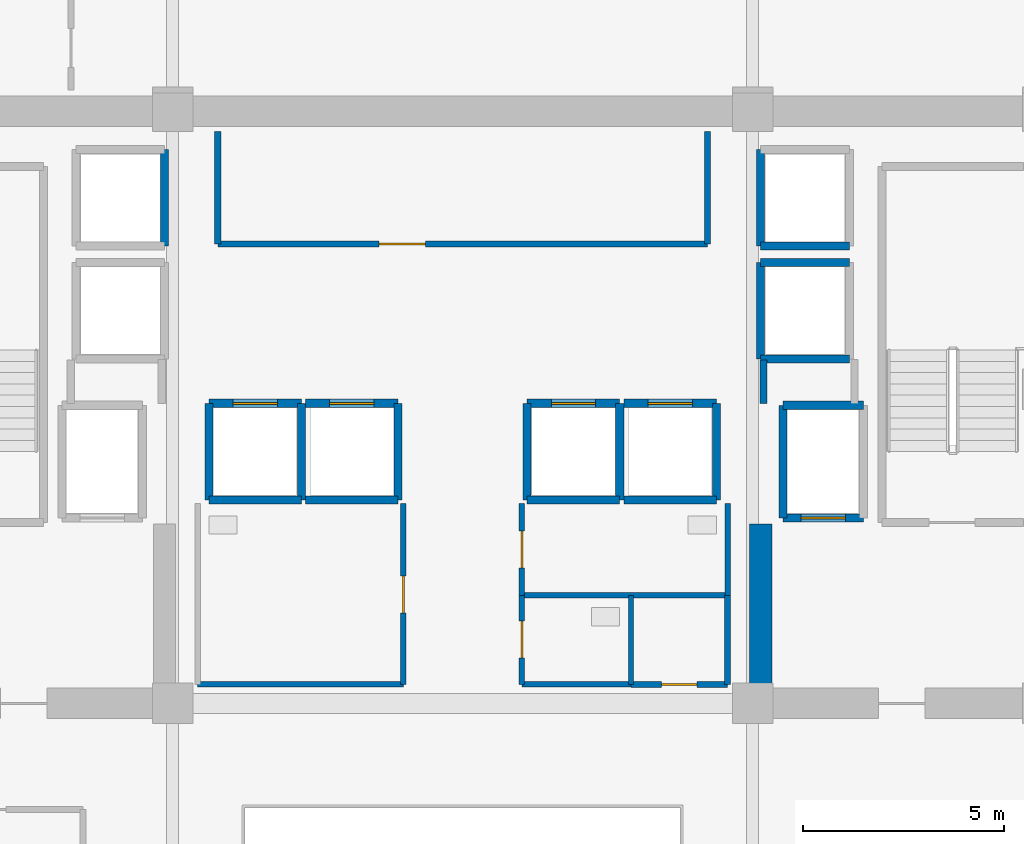
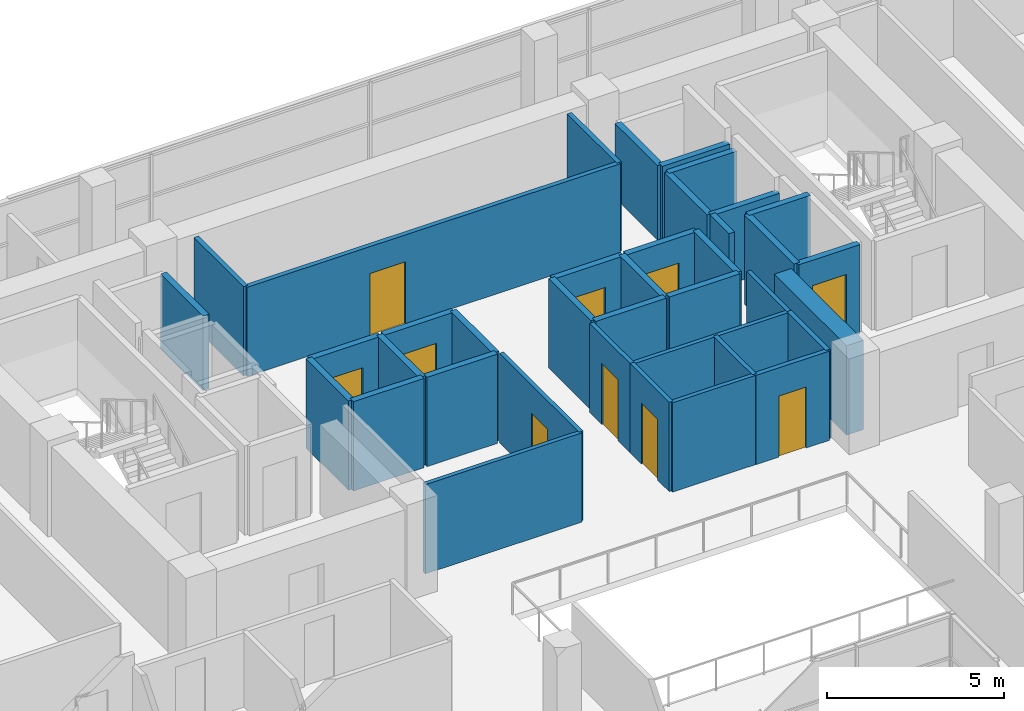
# One storey, part 16 of 21: 38 walls, 10 doors, 10 openings.
"""IFC4 building model written with IfcOpenShell, lengths in metres."""

from ifc_helpers import new_model, si_unit, direction, frame, frame_2d, origin, place, context, subcontext, project, spatial, rectangle, extrude, source, transform, mapped, material, layer, layer_set, type_object, element, fill, save


model = new_model("IFC4")

# Units and contexts
model_context = context("Model", 3, precision=1e-05, world=origin(), true_north=direction((0.0, 1.0)))
body_context = subcontext(model_context, "Body", "Model", "MODEL_VIEW")
ifc_project = project(units=[si_unit("LENGTHUNIT", "METRE"), si_unit("AREAUNIT", "SQUARE_METRE"), si_unit("VOLUMEUNIT", "CUBIC_METRE"), si_unit("PLANEANGLEUNIT", "RADIAN"), si_unit("MASSUNIT", "GRAM", prefix="KILO")], contexts=[model_context])

# Site, building, storey
site_placement = place(None, origin())
site = spatial("IfcSite", under=ifc_project, at=site_placement, CompositionType="ELEMENT")
building_placement = place(site_placement, origin())
building = spatial("IfcBuilding", under=site, at=building_placement, Name="Zarnakvel Exchange Tower", CompositionType="ELEMENT")
storey_placement = place(building_placement, frame((0.0, 0.0, 182.5)))
storey = spatial("IfcBuildingStorey", under=building, at=storey_placement, Name="L51", CompositionType="ELEMENT", Elevation=182.5)

# Wall
ifc_material_1 = material(Name="Concrete C60/75", Category="concrete")
ifc_layer_1 = layer(ifc_material_1, 0.550048828125)
ifc_layer_set_1 = layer_set([ifc_layer_1], Name="Concrete C60/75")
wall_type_1 = type_object("IfcWallType", Name="CW-C4", PredefinedType="SHEAR", material=ifc_layer_set_1)
wall_1_placement = place(storey_placement, frame((7.39990234375, -0.824951171875, 0.0), z_axis=(0.0, 0.0, 1.0), x_axis=(0.0, 1.0, 0.0)))
element("IfcWall", 1, at=wall_1_placement, inside=storey, type_object=wall_type_1, Name="L51 Rear Core Shear Wall IE (CW-C4)", PredefinedType="SHEAR", context=body_context, shape_type="SweptSolid", body=[
    extrude(rectangle(XDim=4.074951171875, YDim=0.550048828125, at=frame_2d((2.03759765625, 0.0))), origin(), (0.0, 0.0, 1.0), 3.074951171875),
])

# Wall, opening, door
ifc_material_2 = material(Name="Fire-Rated Gypsum Stud Partition", Category="gypsum")
ifc_layer_2 = layer(ifc_material_2, 0.14990234375)
ifc_layer_set_2 = layer_set([ifc_layer_2], Name="Fire-Rated Gypsum Stud Partition")
wall_type_2 = type_object("IfcWallType", Name="PT-01", PredefinedType="PARTITIONING", material=ifc_layer_set_2)
wall_2_placement = place(storey_placement, frame((6.080078125, 10.199951171875, 0.0), z_axis=(0.0, 0.0, 1.0), x_axis=(-1.0, 0.0, 0.0)))
wall_2 = element("IfcWall", 2, at=wall_2_placement, inside=storey, type_object=wall_type_2, Name="L51 Partition Wall PWALL-L51-011 (PT-01)", PredefinedType="PARTITIONING", context=body_context, shape_type="SweptSolid", body=[
    extrude(rectangle(XDim=12.16015625, YDim=0.14990234375, at=frame_2d((6.080078125, 0.0))), origin(), (0.0, 0.0, 1.0), 3.074951171875),
])
opening_1_placement = place(wall_2_placement, frame((7.0048828125, 0.0, 0.0)))
opening_1 = element("IfcOpeningElement", 3, at=opening_1_placement, cuts=wall_2, Name="Opening D-L51-05", PredefinedType="OPENING", context=body_context, shape_type="SweptSolid", body=[
    extrude(rectangle(XDim=1.14990234375, YDim=2.14990234375, at=frame_2d((0.574951171875, 1.074951171875))), frame((0.0, 0.0849609375, 0.0), z_axis=(0.0, -1.0, 0.0), x_axis=(1.0, 0.0, 0.0)), (0.0, 0.0, 1.0), 0.169921875),
])
ifc_material_3 = material(Name="Painted Galvanised Steel S355", Category="steel")
door_type_1 = type_object("IfcDoorType", Name="DT-04", OperationType="NOTDEFINED", PredefinedType="DOOR", material=ifc_material_3)
shared_shape_1 = source(origin(), body_context, "Body", "SweptSolid", [
    extrude(rectangle(XDim=1.14990234375, YDim=2.14990234375, at=frame_2d((0.574951171875, 1.074951171875))), frame((0.0, 0.02490234375, 0.0), z_axis=(0.0, -1.0, 0.0), x_axis=(1.0, 0.0, 0.0)), (0.0, 0.0, 1.0), 0.050048828125),
])
door_1_placement = place(opening_1_placement, origin())
door_1 = element("IfcDoor", 4, at=door_1_placement, inside=storey, type_object=door_type_1, Name="L51 Market Data Archive Suite Door D-L51-05", OperationType="SINGLE_SWING_LEFT", OverallHeight=2.14990234375, OverallWidth=1.14990234375, PredefinedType="DOOR", context=body_context, shape_type="MappedRepresentation", body=[
    mapped(shared_shape_1, transform((0.0, 0.0, 0.0), x_axis=(1.0, 0.0, 0.0), y_axis=(0.0, 1.0, 0.0), z_axis=(0.0, 0.0, 1.0), scale=1.0)),
])
fill(opening_1, door_1)

# Walls
for number, where, z_axis, x_axis, name in (
    (5, (-6.080078125, 10.199951171875, 0.0), (0.0, 0.0, 1.0), (0.0, 1.0, 0.0), "L51 Partition Wall PWALL-L51-012 (PT-01)"),
    (6, (6.080078125, 13.0, 0.0), (0.0, 0.0, 1.0), (0.0, -1.0, 0.0), "L51 Partition Wall PWALL-L51-013 (PT-01)"),
):
    element("IfcWall", number, at=place(storey_placement, frame(where, z_axis=z_axis, x_axis=x_axis)), inside=storey, type_object=wall_type_2, Name=name, PredefinedType="PARTITIONING", context=body_context, shape_type="SweptSolid", body=[
        extrude(rectangle(XDim=2.800048828125, YDim=0.14990234375, at=frame_2d((1.39990234375, 0.0))), origin(), (0.0, 0.0, 1.0), 3.074951171875),
    ])

# Wall, opening, door
wall_3_placement = place(storey_placement, frame((6.580078125, -0.72998046875, 0.0), z_axis=(0.0, 0.0, 1.0), x_axis=(-1.0, 0.0, 0.0)))
wall_3 = element("IfcWall", 7, at=wall_3_placement, inside=storey, type_object=wall_type_2, Name="L51 Partition Wall PWALL-L51-023 (PT-01)", PredefinedType="PARTITIONING", context=body_context, shape_type="SweptSolid", body=[
    extrude(rectangle(XDim=2.400146484375, YDim=0.14990234375, at=frame_2d((1.2001953125, 0.0))), origin(), (0.0, 0.0, 1.0), 3.074951171875),
])
opening_2_placement = place(wall_3_placement, frame((0.760009765625, 0.0, 0.0)))
opening_2 = element("IfcOpeningElement", 8, at=opening_2_placement, cuts=wall_3, Name="Opening D-L51-09", PredefinedType="OPENING", context=body_context, shape_type="SweptSolid", body=[
    extrude(rectangle(XDim=0.8798828125, YDim=2.10009765625, at=frame_2d((0.43994140625, 1.050048828125))), frame((0.0, 0.0849609375, 0.0), z_axis=(0.0, -1.0, 0.0), x_axis=(1.0, 0.0, 0.0)), (0.0, 0.0, 1.0), 0.169921875),
])
door_type_2 = type_object("IfcDoorType", Name="DT-08", OperationType="NOTDEFINED", PredefinedType="DOOR", material=ifc_material_3)
shared_shape_2 = source(origin(), body_context, "Body", "SweptSolid", [
    extrude(rectangle(XDim=0.8798828125, YDim=2.10009765625, at=frame_2d((0.43994140625, 1.050048828125))), frame((0.0, 0.02490234375, 0.0), z_axis=(0.0, -1.0, 0.0), x_axis=(1.0, 0.0, 0.0)), (0.0, 0.0, 1.0), 0.050048828125),
])
door_2_placement = place(opening_2_placement, origin())
door_2 = element("IfcDoor", 9, at=door_2_placement, inside=storey, type_object=door_type_2, Name="L51 Cleaners Store Door D-L51-09", OperationType="SINGLE_SWING_LEFT", OverallHeight=2.10009765625, OverallWidth=0.8798828125, PredefinedType="DOOR", context=body_context, shape_type="MappedRepresentation", body=[
    mapped(shared_shape_2, transform((0.0, 0.0, 0.0), x_axis=(1.0, 0.0, 0.0), y_axis=(0.0, 1.0, 0.0), z_axis=(0.0, 0.0, 1.0), scale=1.0)),
])
fill(opening_2, door_2)

# Walls
wall_4_placement = place(storey_placement, frame((6.580078125, 1.47998046875, 0.0), z_axis=(0.0, 0.0, 1.0), x_axis=(0.0, -1.0, 0.0)))
element("IfcWall", 10, at=wall_4_placement, inside=storey, type_object=wall_type_2, Name="L51 Partition Wall PWALL-L51-024 (PT-01)", PredefinedType="PARTITIONING", context=body_context, shape_type="SweptSolid", body=[
    extrude(rectangle(XDim=2.2099609375, YDim=0.14990234375, at=frame_2d((1.10498046875, 0.0))), origin(), (0.0, 0.0, 1.0), 3.074951171875),
])
ifc_layer_3 = layer(ifc_material_2, 0.179931640625)
ifc_layer_set_3 = layer_set([ifc_layer_3], Name="Fire-Rated Gypsum Stud Partition")
wall_type_3 = type_object("IfcWallType", Name="PT-02", PredefinedType="PARTITIONING", material=ifc_layer_set_3)
wall_5_placement = place(storey_placement, frame((7.469970703125, 6.239990234375, 0.0), z_axis=(0.0, 0.0, 1.0), x_axis=(0.0, 1.0, 0.0)))
element("IfcWall", 11, at=wall_5_placement, inside=storey, type_object=wall_type_3, Name="L51 Partition Wall PWALL-L51-009 (PT-02)", PredefinedType="PARTITIONING", context=body_context, shape_type="SweptSolid", body=[
    extrude(rectangle(XDim=1.090087890625, YDim=0.179931640625, at=frame_2d((0.544921875, 0.0))), origin(), (0.0, 0.0, 1.0), 2.56494140625),
])
ifc_material_4 = material(Name="Moisture-Resistant Tile-Faced Partition", Category="gypsum")
ifc_layer_4 = layer(ifc_material_4, 0.135009765625)
ifc_layer_set_4 = layer_set([ifc_layer_4], Name="Moisture-Resistant Tile-Faced Partition")
wall_type_4 = type_object("IfcWallType", Name="PT-03", PredefinedType="PARTITIONING", material=ifc_layer_set_4)
wall_6_placement = place(storey_placement, frame((-1.469970703125, -0.72998046875, 0.0), z_axis=(0.0, 0.0, 1.0), x_axis=(-1.0, 0.0, 0.0)))
element("IfcWall", 12, at=wall_6_placement, inside=storey, type_object=wall_type_4, Name="L51 Partition Wall PWALL-L51-014 (PT-03)", PredefinedType="PARTITIONING", context=body_context, shape_type="SweptSolid", body=[
    extrude(rectangle(XDim=5.110107421875, YDim=0.135009765625, at=frame_2d((2.55517578125, 0.0))), origin(), (0.0, 0.0, 1.0), 3.074951171875),
])

# Wall, opening, door
wall_7_placement = place(storey_placement, frame((-1.469970703125, 3.760009765625, 0.0), z_axis=(0.0, 0.0, 1.0), x_axis=(0.0, -1.0, 0.0)))
wall_7 = element("IfcWall", 13, at=wall_7_placement, inside=storey, type_object=wall_type_4, Name="L51 Partition Wall PWALL-L51-016 (PT-03)", PredefinedType="PARTITIONING", context=body_context, shape_type="SweptSolid", body=[
    extrude(rectangle(XDim=4.489990234375, YDim=0.135009765625, at=frame_2d((2.2451171875, 0.0))), origin(), (0.0, 0.0, 1.0), 3.074951171875),
])
opening_3_placement = place(wall_7_placement, frame((1.800048828125, 0.0, 0.0)))
opening_3 = element("IfcOpeningElement", 14, at=opening_3_placement, cuts=wall_7, Name="Opening D-L51-06", PredefinedType="OPENING", context=body_context, shape_type="SweptSolid", body=[
    extrude(rectangle(XDim=0.919921875, YDim=2.10009765625, at=frame_2d((0.4599609375, 1.050048828125))), frame((0.0, 0.077392578125, 0.0), z_axis=(0.0, -1.0, 0.0), x_axis=(1.0, 0.0, 0.0)), (0.0, 0.0, 1.0), 0.155029296875),
])
ifc_material_5 = material(Name="Moisture-Resistant Laminate Timber", Category="wood")
door_type_3 = type_object("IfcDoorType", Name="DT-07", OperationType="NOTDEFINED", PredefinedType="DOOR", material=ifc_material_5)
shared_shape_3 = source(origin(), body_context, "Body", "SweptSolid", [
    extrude(rectangle(XDim=0.919921875, YDim=2.10009765625, at=frame_2d((0.4599609375, 1.050048828125))), frame((0.0, 0.02490234375, 0.0), z_axis=(0.0, -1.0, 0.0), x_axis=(1.0, 0.0, 0.0)), (0.0, 0.0, 1.0), 0.050048828125),
])
door_3_placement = place(opening_3_placement, origin())
door_3 = element("IfcDoor", 15, at=door_3_placement, inside=storey, type_object=door_type_3, Name="L51 Male Toilet Door D-L51-06", OperationType="SINGLE_SWING_RIGHT", OverallHeight=2.10009765625, OverallWidth=0.919921875, PredefinedType="DOOR", context=body_context, shape_type="MappedRepresentation", body=[
    mapped(shared_shape_3, transform((0.0, 0.0, 0.0), x_axis=(1.0, 0.0, 0.0), y_axis=(0.0, 1.0, 0.0), z_axis=(0.0, 0.0, 1.0), scale=1.0)),
])
fill(opening_3, door_3)

# Wall
wall_8_placement = place(storey_placement, frame((6.580078125, 1.47998046875, 0.0), z_axis=(0.0, 0.0, 1.0), x_axis=(-1.0, 0.0, 0.0)))
element("IfcWall", 16, at=wall_8_placement, inside=storey, type_object=wall_type_4, Name="L51 Partition Wall PWALL-L51-017 (PT-03)", PredefinedType="PARTITIONING", context=body_context, shape_type="SweptSolid", body=[
    extrude(rectangle(XDim=5.110107421875, YDim=0.135009765625, at=frame_2d((2.55517578125, 0.0))), origin(), (0.0, 0.0, 1.0), 3.074951171875),
])

# Wall, opening, door
wall_9_placement = place(storey_placement, frame((1.469970703125, 1.47998046875, 0.0), z_axis=(0.0, 0.0, 1.0), x_axis=(0.0, 1.0, 0.0)))
wall_9 = element("IfcWall", 17, at=wall_9_placement, inside=storey, type_object=wall_type_4, Name="L51 Partition Wall PWALL-L51-018 (PT-03)", PredefinedType="PARTITIONING", context=body_context, shape_type="SweptSolid", body=[
    extrude(rectangle(XDim=2.280029296875, YDim=0.135009765625, at=frame_2d((1.14013671875, 0.0))), origin(), (0.0, 0.0, 1.0), 3.074951171875),
])
opening_4_placement = place(wall_9_placement, frame((0.679931640625, 0.0, 0.0)))
opening_4 = element("IfcOpeningElement", 18, at=opening_4_placement, cuts=wall_9, Name="Opening D-L51-07", PredefinedType="OPENING", context=body_context, shape_type="SweptSolid", body=[
    extrude(rectangle(XDim=0.919921875, YDim=2.10009765625, at=frame_2d((0.4599609375, 1.050048828125))), frame((0.0, 0.077392578125, 0.0), z_axis=(0.0, -1.0, 0.0), x_axis=(1.0, 0.0, 0.0)), (0.0, 0.0, 1.0), 0.155029296875),
])
door_4_placement = place(opening_4_placement, origin())
door_4 = element("IfcDoor", 19, at=door_4_placement, inside=storey, type_object=door_type_3, Name="L51 Female Toilet Door D-L51-07", OperationType="SINGLE_SWING_LEFT", OverallHeight=2.10009765625, OverallWidth=0.919921875, PredefinedType="DOOR", context=body_context, shape_type="MappedRepresentation", body=[
    mapped(shared_shape_3, transform((0.0, 0.0, 0.0), x_axis=(1.0, 0.0, 0.0), y_axis=(0.0, 1.0, 0.0), z_axis=(0.0, 0.0, 1.0), scale=1.0)),
])
fill(opening_4, door_4)

# Walls
wall_10_placement = place(storey_placement, frame((6.580078125, 3.760009765625, 0.0), z_axis=(0.0, 0.0, 1.0), x_axis=(0.0, -1.0, 0.0)))
element("IfcWall", 20, at=wall_10_placement, inside=storey, type_object=wall_type_4, Name="L51 Partition Wall PWALL-L51-019 (PT-03)", PredefinedType="PARTITIONING", context=body_context, shape_type="SweptSolid", body=[
    extrude(rectangle(XDim=2.280029296875, YDim=0.135009765625, at=frame_2d((1.14013671875, 0.0))), origin(), (0.0, 0.0, 1.0), 3.074951171875),
])
wall_11_placement = place(storey_placement, frame((4.179931640625, -0.72998046875, 0.0), z_axis=(0.0, 0.0, 1.0), x_axis=(-1.0, 0.0, 0.0)))
element("IfcWall", 21, at=wall_11_placement, inside=storey, type_object=wall_type_4, Name="L51 Partition Wall PWALL-L51-020 (PT-03)", PredefinedType="PARTITIONING", context=body_context, shape_type="SweptSolid", body=[
    extrude(rectangle(XDim=2.7099609375, YDim=0.135009765625, at=frame_2d((1.35498046875, 0.0))), origin(), (0.0, 0.0, 1.0), 3.074951171875),
])

# Wall, opening, door
wall_12_placement = place(storey_placement, frame((1.469970703125, -0.72998046875, 0.0), z_axis=(0.0, 0.0, 1.0), x_axis=(0.0, 1.0, 0.0)))
wall_12 = element("IfcWall", 22, at=wall_12_placement, inside=storey, type_object=wall_type_4, Name="L51 Partition Wall PWALL-L51-021 (PT-03)", PredefinedType="PARTITIONING", context=body_context, shape_type="SweptSolid", body=[
    extrude(rectangle(XDim=2.2099609375, YDim=0.135009765625, at=frame_2d((1.10498046875, 0.0))), origin(), (0.0, 0.0, 1.0), 3.074951171875),
])
opening_5_placement = place(wall_12_placement, frame((0.64990234375, 0.0, 0.0)))
opening_5 = element("IfcOpeningElement", 23, at=opening_5_placement, cuts=wall_12, Name="Opening D-L51-08", PredefinedType="OPENING", context=body_context, shape_type="SweptSolid", body=[
    extrude(rectangle(XDim=0.919921875, YDim=2.10009765625, at=frame_2d((0.4599609375, 1.050048828125))), frame((0.0, 0.077392578125, 0.0), z_axis=(0.0, -1.0, 0.0), x_axis=(1.0, 0.0, 0.0)), (0.0, 0.0, 1.0), 0.155029296875),
])
door_5_placement = place(opening_5_placement, origin())
door_5 = element("IfcDoor", 24, at=door_5_placement, inside=storey, type_object=door_type_3, Name="L51 Accessible Toilet Door D-L51-08", OperationType="SINGLE_SWING_RIGHT", OverallHeight=2.10009765625, OverallWidth=0.919921875, PredefinedType="DOOR", context=body_context, shape_type="MappedRepresentation", body=[
    mapped(shared_shape_3, transform((0.0, 0.0, 0.0), x_axis=(1.0, 0.0, 0.0), y_axis=(0.0, 1.0, 0.0), z_axis=(0.0, 0.0, 1.0), scale=1.0)),
])
fill(opening_5, door_5)

# Wall
wall_13_placement = place(storey_placement, frame((4.179931640625, 1.47998046875, 0.0), z_axis=(0.0, 0.0, 1.0), x_axis=(0.0, -1.0, 0.0)))
element("IfcWall", 25, at=wall_13_placement, inside=storey, type_object=wall_type_4, Name="L51 Partition Wall PWALL-L51-022 (PT-03)", PredefinedType="PARTITIONING", context=body_context, shape_type="SweptSolid", body=[
    extrude(rectangle(XDim=2.2099609375, YDim=0.135009765625, at=frame_2d((1.10498046875, 0.0))), origin(), (0.0, 0.0, 1.0), 3.074951171875),
])

# Wall, opening, door
ifc_material_6 = material(Name="Concrete C40/50", Category="concrete")
ifc_layer_5 = layer(ifc_material_6, 0.199951171875)
ifc_layer_set_5 = layer_set([ifc_layer_5], Name="Concrete C40/50")
wall_type_5 = type_object("IfcWallType", Name="SW-01", PredefinedType="SOLIDWALL", material=ifc_layer_set_5)
wall_14_placement = place(storey_placement, frame((9.949951171875, 3.39990234375, 0.0), z_axis=(0.0, 0.0, 1.0), x_axis=(-1.0, 0.0, 0.0)))
wall_14 = element("IfcWall", 26, at=wall_14_placement, inside=storey, type_object=wall_type_5, Name="L51 FL-02 Hoistway Wall South", PredefinedType="SOLIDWALL", context=body_context, shape_type="SweptSolid", body=[
    extrude(rectangle(XDim=2.0, YDim=0.199951171875, at=frame_2d((1.0, 0.0))), origin(), (0.0, 0.0, 1.0), 3.074951171875),
])
opening_6_placement = place(wall_14_placement, frame((0.449951171875, 0.0, 0.0)))
opening_6 = element("IfcOpeningElement", 27, at=opening_6_placement, cuts=wall_14, Name="Opening LD-FL-02-L51", PredefinedType="OPENING", context=body_context, shape_type="SweptSolid", body=[
    extrude(rectangle(XDim=1.10009765625, YDim=2.199951171875, at=frame_2d((0.550048828125, 1.10009765625))), frame((0.0, 0.10986328125, 0.0), z_axis=(0.0, -1.0, 0.0), x_axis=(1.0, 0.0, 0.0)), (0.0, 0.0, 1.0), 0.219970703125),
])
ifc_material_7 = material(Name="Brushed Stainless Steel", Category="steel")
door_type_4 = type_object("IfcDoorType", Name="LDT-01", OperationType="NOTDEFINED", PredefinedType="DOOR", material=ifc_material_7)
shared_shape_4 = source(origin(), body_context, "Body", "SweptSolid", [
    extrude(rectangle(XDim=1.10009765625, YDim=2.199951171875, at=frame_2d((0.550048828125, 1.10009765625))), frame((0.0, 0.02490234375, 0.0), z_axis=(0.0, -1.0, 0.0), x_axis=(1.0, 0.0, 0.0)), (0.0, 0.0, 1.0), 0.050048828125),
])
door_6_placement = place(opening_6_placement, origin())
door_6 = element("IfcDoor", 28, at=door_6_placement, inside=storey, type_object=door_type_4, Name="L51 FL-02 Lift Landing Door LD-FL-02-L51", OperationType="DOUBLE_DOOR_SLIDING", OverallHeight=2.199951171875, OverallWidth=1.10009765625, PredefinedType="DOOR", context=body_context, shape_type="MappedRepresentation", body=[
    mapped(shared_shape_4, transform((0.0, 0.0, 0.0), x_axis=(1.0, 0.0, 0.0), y_axis=(0.0, 1.0, 0.0), z_axis=(0.0, 0.0, 1.0), scale=1.0)),
])
fill(opening_6, door_6)

# Walls
wall_15_placement = place(storey_placement, frame((7.949951171875, 6.199951171875, 0.0), z_axis=(0.0, 0.0, 1.0), x_axis=(1.0, 0.0, 0.0)))
element("IfcWall", 29, at=wall_15_placement, inside=storey, type_object=wall_type_5, Name="L51 FL-02 Hoistway Wall North", PredefinedType="SOLIDWALL", context=body_context, shape_type="SweptSolid", body=[
    extrude(rectangle(XDim=2.0, YDim=0.199951171875, at=frame_2d((1.0, 0.0))), origin(), (0.0, 0.0, 1.0), 3.074951171875),
])
wall_16_placement = place(storey_placement, frame((7.949951171875, 3.39990234375, 0.0), z_axis=(0.0, 0.0, 1.0), x_axis=(0.0, 1.0, 0.0)))
element("IfcWall", 30, at=wall_16_placement, inside=storey, type_object=wall_type_5, Name="L51 FL-02 Hoistway Wall West", PredefinedType="SOLIDWALL", context=body_context, shape_type="SweptSolid", body=[
    extrude(rectangle(XDim=2.800048828125, YDim=0.199951171875, at=frame_2d((1.39990234375, 0.0))), origin(), (0.0, 0.0, 1.0), 3.074951171875),
])
wall_17_placement = place(storey_placement, frame((-4.0, 3.85009765625, 0.0), z_axis=(0.0, 0.0, 1.0), x_axis=(-1.0, 0.0, 0.0)))
element("IfcWall", 31, at=wall_17_placement, inside=storey, type_object=wall_type_5, Name="L51 PL-05 Hoistway Wall South", PredefinedType="SOLIDWALL", context=body_context, shape_type="SweptSolid", body=[
    extrude(rectangle(XDim=2.300048828125, YDim=0.199951171875, at=frame_2d((1.14990234375, 0.0))), origin(), (0.0, 0.0, 1.0), 3.074951171875),
])

# Wall, opening, door
wall_18_placement = place(storey_placement, frame((-6.300048828125, 6.25, 0.0), z_axis=(0.0, 0.0, 1.0), x_axis=(1.0, 0.0, 0.0)))
wall_18 = element("IfcWall", 32, at=wall_18_placement, inside=storey, type_object=wall_type_5, Name="L51 PL-05 Hoistway Wall North", PredefinedType="SOLIDWALL", context=body_context, shape_type="SweptSolid", body=[
    extrude(rectangle(XDim=2.300048828125, YDim=0.199951171875, at=frame_2d((1.14990234375, 0.0))), origin(), (0.0, 0.0, 1.0), 3.074951171875),
])
opening_7_placement = place(wall_18_placement, frame((0.60009765625, 0.0, 0.0)))
opening_7 = element("IfcOpeningElement", 33, at=opening_7_placement, cuts=wall_18, Name="Opening LD-PL-05-L51", PredefinedType="OPENING", context=body_context, shape_type="SweptSolid", body=[
    extrude(rectangle(XDim=1.10009765625, YDim=2.199951171875, at=frame_2d((0.550048828125, 1.10009765625))), frame((0.0, 0.10986328125, 0.0), z_axis=(0.0, -1.0, 0.0), x_axis=(1.0, 0.0, 0.0)), (0.0, 0.0, 1.0), 0.219970703125),
])
ifc_material_8 = material(Name="Architectural Bronze Anodised Aluminium", Category="aluminium")
door_type_5 = type_object("IfcDoorType", Name="LDT-02", OperationType="NOTDEFINED", PredefinedType="DOOR", material=ifc_material_8)
door_7_placement = place(opening_7_placement, origin())
door_7 = element("IfcDoor", 34, at=door_7_placement, inside=storey, type_object=door_type_5, Name="L51 PL-05 Lift Landing Door LD-PL-05-L51", OperationType="DOUBLE_DOOR_SLIDING", OverallHeight=2.199951171875, OverallWidth=1.10009765625, PredefinedType="DOOR", context=body_context, shape_type="MappedRepresentation", body=[
    mapped(shared_shape_4, transform((0.0, 0.0, 0.0), x_axis=(1.0, 0.0, 0.0), y_axis=(0.0, 1.0, 0.0), z_axis=(0.0, 0.0, 1.0), scale=1.0)),
])
fill(opening_7, door_7)

# Walls
for number, where, z_axis, x_axis, name in (
    (35, (-6.300048828125, 3.85009765625, 0.0), (0.0, 0.0, 1.0), (0.0, 1.0, 0.0), "L51 PL-05 Hoistway Wall West"),
    (36, (-4.0, 6.25, 0.0), (0.0, 0.0, 1.0), (0.0, -1.0, 0.0), "L51 PL-05 Hoistway Wall East"),
):
    element("IfcWall", number, at=place(storey_placement, frame(where, z_axis=z_axis, x_axis=x_axis)), inside=storey, type_object=wall_type_5, Name=name, PredefinedType="SOLIDWALL", context=body_context, shape_type="SweptSolid", body=[
        extrude(rectangle(XDim=2.39990234375, YDim=0.199951171875, at=frame_2d((1.199951171875, 0.0))), origin(), (0.0, 0.0, 1.0), 3.074951171875),
    ])
wall_19_placement = place(storey_placement, frame((-1.60009765625, 3.85009765625, 0.0), z_axis=(0.0, 0.0, 1.0), x_axis=(-1.0, 0.0, 0.0)))
element("IfcWall", 37, at=wall_19_placement, inside=storey, type_object=wall_type_5, Name="L51 PL-06 Hoistway Wall South", PredefinedType="SOLIDWALL", context=body_context, shape_type="SweptSolid", body=[
    extrude(rectangle(XDim=2.2998046875, YDim=0.199951171875, at=frame_2d((1.14990234375, 0.0))), origin(), (0.0, 0.0, 1.0), 3.074951171875),
])

# Wall, opening, door
wall_20_placement = place(storey_placement, frame((-3.89990234375, 6.25, 0.0), z_axis=(0.0, 0.0, 1.0), x_axis=(1.0, 0.0, 0.0)))
wall_20 = element("IfcWall", 38, at=wall_20_placement, inside=storey, type_object=wall_type_5, Name="L51 PL-06 Hoistway Wall North", PredefinedType="SOLIDWALL", context=body_context, shape_type="SweptSolid", body=[
    extrude(rectangle(XDim=2.2998046875, YDim=0.199951171875, at=frame_2d((1.14990234375, 0.0))), origin(), (0.0, 0.0, 1.0), 3.074951171875),
])
opening_8_placement = place(wall_20_placement, frame((0.60009765625, 0.0, 0.0)))
opening_8 = element("IfcOpeningElement", 39, at=opening_8_placement, cuts=wall_20, Name="Opening LD-PL-06-L51", PredefinedType="OPENING", context=body_context, shape_type="SweptSolid", body=[
    extrude(rectangle(XDim=1.10009765625, YDim=2.199951171875, at=frame_2d((0.550048828125, 1.10009765625))), frame((0.0, 0.10986328125, 0.0), z_axis=(0.0, -1.0, 0.0), x_axis=(1.0, 0.0, 0.0)), (0.0, 0.0, 1.0), 0.219970703125),
])
door_8_placement = place(opening_8_placement, origin())
door_8 = element("IfcDoor", 40, at=door_8_placement, inside=storey, type_object=door_type_5, Name="L51 PL-06 Lift Landing Door LD-PL-06-L51", OperationType="DOUBLE_DOOR_SLIDING", OverallHeight=2.199951171875, OverallWidth=1.10009765625, PredefinedType="DOOR", context=body_context, shape_type="MappedRepresentation", body=[
    mapped(shared_shape_4, transform((0.0, 0.0, 0.0), x_axis=(1.0, 0.0, 0.0), y_axis=(0.0, 1.0, 0.0), z_axis=(0.0, 0.0, 1.0), scale=1.0)),
])
fill(opening_8, door_8)

# Walls
wall_21_placement = place(storey_placement, frame((-1.60009765625, 6.25, 0.0), z_axis=(0.0, 0.0, 1.0), x_axis=(0.0, -1.0, 0.0)))
element("IfcWall", 41, at=wall_21_placement, inside=storey, type_object=wall_type_5, Name="L51 PL-06 Hoistway Wall East", PredefinedType="SOLIDWALL", context=body_context, shape_type="SweptSolid", body=[
    extrude(rectangle(XDim=2.39990234375, YDim=0.199951171875, at=frame_2d((1.199951171875, 0.0))), origin(), (0.0, 0.0, 1.0), 3.074951171875),
])
wall_22_placement = place(storey_placement, frame((3.89990234375, 3.85009765625, 0.0), z_axis=(0.0, 0.0, 1.0), x_axis=(-1.0, 0.0, 0.0)))
element("IfcWall", 42, at=wall_22_placement, inside=storey, type_object=wall_type_5, Name="L51 PL-07 Hoistway Wall South", PredefinedType="SOLIDWALL", context=body_context, shape_type="SweptSolid", body=[
    extrude(rectangle(XDim=2.2998046875, YDim=0.199951171875, at=frame_2d((1.14990234375, 0.0))), origin(), (0.0, 0.0, 1.0), 3.074951171875),
])

# Wall, opening, door
wall_23_placement = place(storey_placement, frame((1.60009765625, 6.25, 0.0), z_axis=(0.0, 0.0, 1.0), x_axis=(1.0, 0.0, 0.0)))
wall_23 = element("IfcWall", 43, at=wall_23_placement, inside=storey, type_object=wall_type_5, Name="L51 PL-07 Hoistway Wall North", PredefinedType="SOLIDWALL", context=body_context, shape_type="SweptSolid", body=[
    extrude(rectangle(XDim=2.2998046875, YDim=0.199951171875, at=frame_2d((1.14990234375, 0.0))), origin(), (0.0, 0.0, 1.0), 3.074951171875),
])
opening_9_placement = place(wall_23_placement, frame((0.60009765625, 0.0, 0.0)))
opening_9 = element("IfcOpeningElement", 44, at=opening_9_placement, cuts=wall_23, Name="Opening LD-PL-07-L51", PredefinedType="OPENING", context=body_context, shape_type="SweptSolid", body=[
    extrude(rectangle(XDim=1.10009765625, YDim=2.199951171875, at=frame_2d((0.550048828125, 1.10009765625))), frame((0.0, 0.10986328125, 0.0), z_axis=(0.0, -1.0, 0.0), x_axis=(1.0, 0.0, 0.0)), (0.0, 0.0, 1.0), 0.219970703125),
])
door_9_placement = place(opening_9_placement, origin())
door_9 = element("IfcDoor", 45, at=door_9_placement, inside=storey, type_object=door_type_5, Name="L51 PL-07 Lift Landing Door LD-PL-07-L51", OperationType="DOUBLE_DOOR_SLIDING", OverallHeight=2.199951171875, OverallWidth=1.10009765625, PredefinedType="DOOR", context=body_context, shape_type="MappedRepresentation", body=[
    mapped(shared_shape_4, transform((0.0, 0.0, 0.0), x_axis=(1.0, 0.0, 0.0), y_axis=(0.0, 1.0, 0.0), z_axis=(0.0, 0.0, 1.0), scale=1.0)),
])
fill(opening_9, door_9)

# Walls
for number, where, z_axis, x_axis, name in (
    (46, (1.60009765625, 3.85009765625, 0.0), (0.0, 0.0, 1.0), (0.0, 1.0, 0.0), "L51 PL-07 Hoistway Wall West"),
    (47, (3.89990234375, 6.25, 0.0), (0.0, 0.0, 1.0), (0.0, -1.0, 0.0), "L51 PL-07 Hoistway Wall East"),
):
    element("IfcWall", number, at=place(storey_placement, frame(where, z_axis=z_axis, x_axis=x_axis)), inside=storey, type_object=wall_type_5, Name=name, PredefinedType="SOLIDWALL", context=body_context, shape_type="SweptSolid", body=[
        extrude(rectangle(XDim=2.39990234375, YDim=0.199951171875, at=frame_2d((1.199951171875, 0.0))), origin(), (0.0, 0.0, 1.0), 3.074951171875),
    ])
wall_24_placement = place(storey_placement, frame((6.300048828125, 3.85009765625, 0.0), z_axis=(0.0, 0.0, 1.0), x_axis=(-1.0, 0.0, 0.0)))
element("IfcWall", 48, at=wall_24_placement, inside=storey, type_object=wall_type_5, Name="L51 PL-08 Hoistway Wall South", PredefinedType="SOLIDWALL", context=body_context, shape_type="SweptSolid", body=[
    extrude(rectangle(XDim=2.300048828125, YDim=0.199951171875, at=frame_2d((1.14990234375, 0.0))), origin(), (0.0, 0.0, 1.0), 3.074951171875),
])

# Wall, opening, door
wall_25_placement = place(storey_placement, frame((4.0, 6.25, 0.0), z_axis=(0.0, 0.0, 1.0), x_axis=(1.0, 0.0, 0.0)))
wall_25 = element("IfcWall", 49, at=wall_25_placement, inside=storey, type_object=wall_type_5, Name="L51 PL-08 Hoistway Wall North", PredefinedType="SOLIDWALL", context=body_context, shape_type="SweptSolid", body=[
    extrude(rectangle(XDim=2.300048828125, YDim=0.199951171875, at=frame_2d((1.14990234375, 0.0))), origin(), (0.0, 0.0, 1.0), 3.074951171875),
])
opening_10_placement = place(wall_25_placement, frame((0.60009765625, 0.0, 0.0)))
opening_10 = element("IfcOpeningElement", 50, at=opening_10_placement, cuts=wall_25, Name="Opening LD-PL-08-L51", PredefinedType="OPENING", context=body_context, shape_type="SweptSolid", body=[
    extrude(rectangle(XDim=1.10009765625, YDim=2.199951171875, at=frame_2d((0.550048828125, 1.10009765625))), frame((0.0, 0.10986328125, 0.0), z_axis=(0.0, -1.0, 0.0), x_axis=(1.0, 0.0, 0.0)), (0.0, 0.0, 1.0), 0.219970703125),
])
door_10_placement = place(opening_10_placement, origin())
door_10 = element("IfcDoor", 51, at=door_10_placement, inside=storey, type_object=door_type_5, Name="L51 PL-08 Lift Landing Door LD-PL-08-L51", OperationType="DOUBLE_DOOR_SLIDING", OverallHeight=2.199951171875, OverallWidth=1.10009765625, PredefinedType="DOOR", context=body_context, shape_type="MappedRepresentation", body=[
    mapped(shared_shape_4, transform((0.0, 0.0, 0.0), x_axis=(1.0, 0.0, 0.0), y_axis=(0.0, 1.0, 0.0), z_axis=(0.0, 0.0, 1.0), scale=1.0)),
])
fill(opening_10, door_10)

# Walls
wall_26_placement = place(storey_placement, frame((6.300048828125, 6.25, 0.0), z_axis=(0.0, 0.0, 1.0), x_axis=(0.0, -1.0, 0.0)))
element("IfcWall", 52, at=wall_26_placement, inside=storey, type_object=wall_type_5, Name="L51 PL-08 Hoistway Wall East", PredefinedType="SOLIDWALL", context=body_context, shape_type="SweptSolid", body=[
    extrude(rectangle(XDim=2.39990234375, YDim=0.199951171875, at=frame_2d((1.199951171875, 0.0))), origin(), (0.0, 0.0, 1.0), 3.074951171875),
])
wall_27_placement = place(storey_placement, frame((-7.39990234375, 12.550048828125, 0.0), z_axis=(0.0, 0.0, 1.0), x_axis=(0.0, -1.0, 0.0)))
element("IfcWall", 53, at=wall_27_placement, inside=storey, type_object=wall_type_5, Name="L51 PL-10 Hoistway Wall East", PredefinedType="SOLIDWALL", context=body_context, shape_type="SweptSolid", body=[
    extrude(rectangle(XDim=2.400146484375, YDim=0.199951171875, at=frame_2d((1.2001953125, 0.0))), origin(), (0.0, 0.0, 1.0), 2.56494140625),
])
for number, where, z_axis, x_axis, name in (
    (54, (9.60009765625, 7.35009765625, 0.0), (0.0, 0.0, 1.0), (-1.0, 0.0, 0.0), "L51 PL-11 Hoistway Wall South"),
    (55, (7.39990234375, 9.75, 0.0), (0.0, 0.0, 1.0), (1.0, 0.0, 0.0), "L51 PL-11 Hoistway Wall North"),
):
    element("IfcWall", number, at=place(storey_placement, frame(where, z_axis=z_axis, x_axis=x_axis)), inside=storey, type_object=wall_type_5, Name=name, PredefinedType="SOLIDWALL", context=body_context, shape_type="SweptSolid", body=[
        extrude(rectangle(XDim=2.2001953125, YDim=0.199951171875, at=frame_2d((1.10009765625, 0.0))), origin(), (0.0, 0.0, 1.0), 2.56494140625),
    ])
wall_28_placement = place(storey_placement, frame((7.39990234375, 7.35009765625, 0.0), z_axis=(0.0, 0.0, 1.0), x_axis=(0.0, 1.0, 0.0)))
element("IfcWall", 56, at=wall_28_placement, inside=storey, type_object=wall_type_5, Name="L51 PL-11 Hoistway Wall West", PredefinedType="SOLIDWALL", context=body_context, shape_type="SweptSolid", body=[
    extrude(rectangle(XDim=2.39990234375, YDim=0.199951171875, at=frame_2d((1.199951171875, 0.0))), origin(), (0.0, 0.0, 1.0), 2.56494140625),
])
wall_29_placement = place(storey_placement, frame((9.60009765625, 10.14990234375, 0.0), z_axis=(0.0, 0.0, 1.0), x_axis=(-1.0, 0.0, 0.0)))
element("IfcWall", 57, at=wall_29_placement, inside=storey, type_object=wall_type_5, Name="L51 PL-12 Hoistway Wall South", PredefinedType="SOLIDWALL", context=body_context, shape_type="SweptSolid", body=[
    extrude(rectangle(XDim=2.2001953125, YDim=0.199951171875, at=frame_2d((1.10009765625, 0.0))), origin(), (0.0, 0.0, 1.0), 2.56494140625),
])
wall_30_placement = place(storey_placement, frame((7.39990234375, 10.14990234375, 0.0), z_axis=(0.0, 0.0, 1.0), x_axis=(0.0, 1.0, 0.0)))
element("IfcWall", 58, at=wall_30_placement, inside=storey, type_object=wall_type_5, Name="L51 PL-12 Hoistway Wall West", PredefinedType="SOLIDWALL", context=body_context, shape_type="SweptSolid", body=[
    extrude(rectangle(XDim=2.400146484375, YDim=0.199951171875, at=frame_2d((1.2001953125, 0.0))), origin(), (0.0, 0.0, 1.0), 2.56494140625),
])

save(model, "model.ifc")
